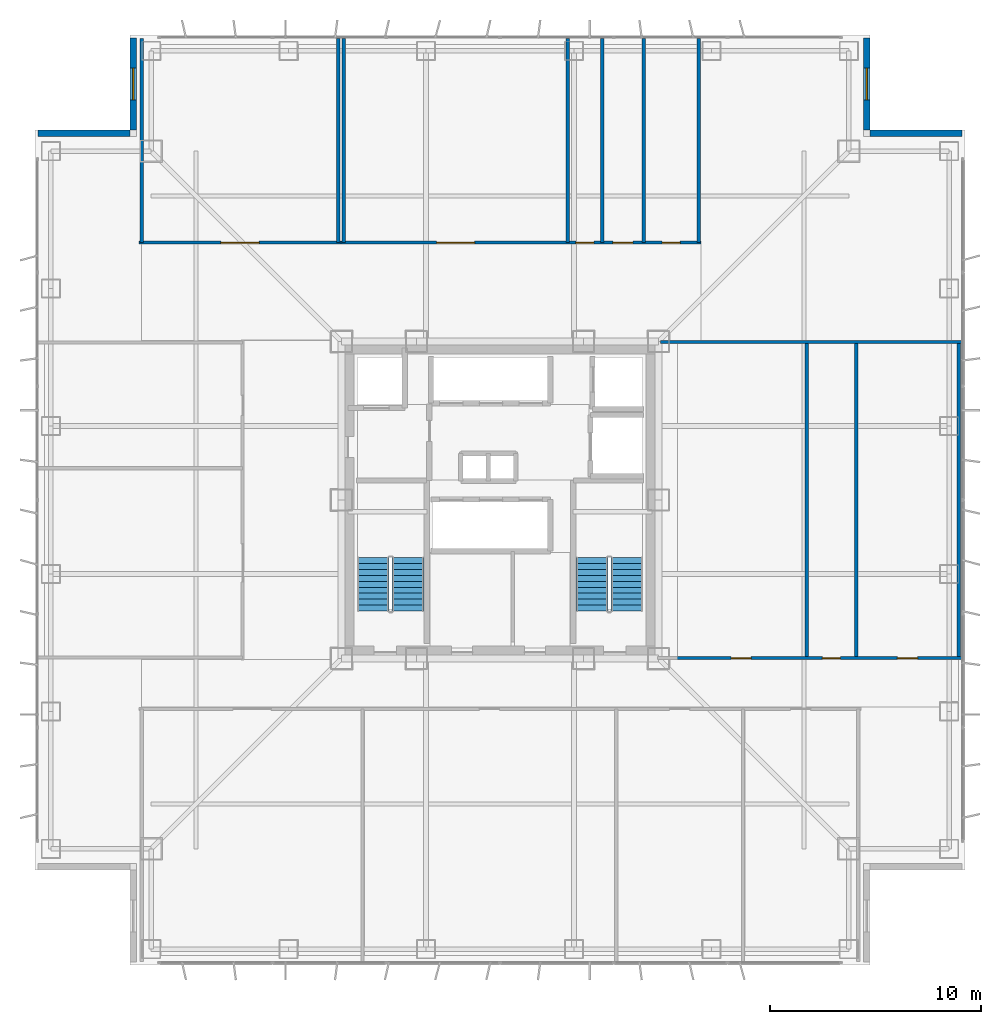
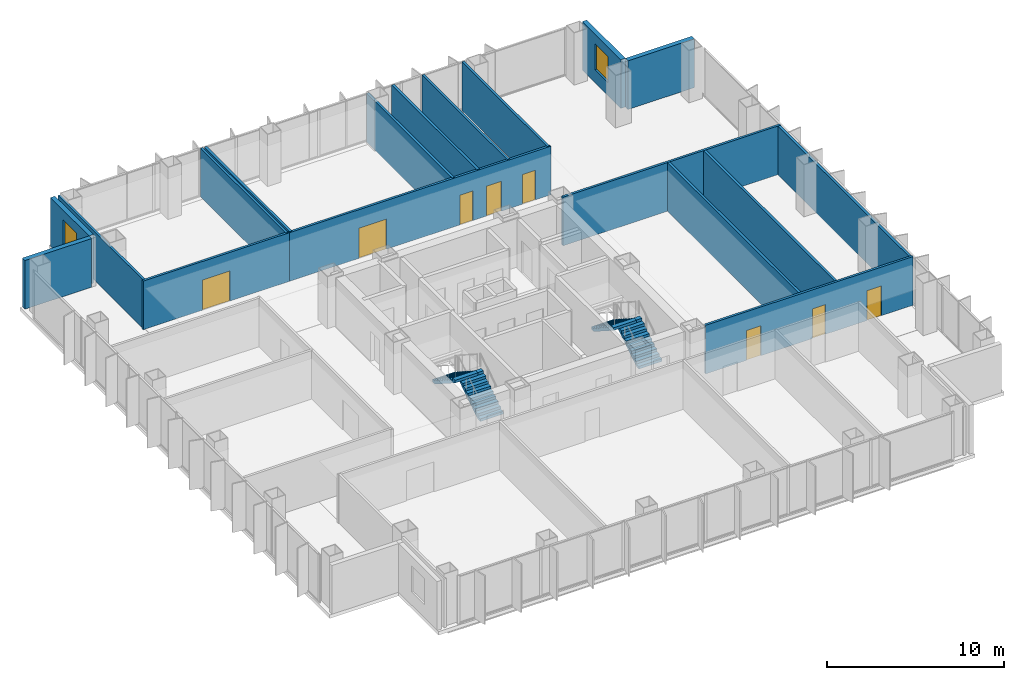
# One storey, part 14 of 17: 18 walls, 8 doors, 4 stair flights, 2 windows, 10 openings, 2 elements without a shape of their own.
"""IFC4 building model written with IfcOpenShell, lengths in metres."""

from ifc_helpers import new_model, si_unit, direction, frame, frame_2d, origin, place, context, subcontext, project, spatial, polyline, rectangle, outline, extrude, material, layer, layer_set, type_object, element, fill, aggregate, save


model = new_model("IFC4")

# Units and contexts
model_context = context("Model", 3, precision=1e-05, world=origin(), true_north=direction((0.0, 1.0)))
body_context = subcontext(model_context, "Body", "Model", "MODEL_VIEW")
ifc_project = project(units=[si_unit("LENGTHUNIT", "METRE"), si_unit("AREAUNIT", "SQUARE_METRE"), si_unit("VOLUMEUNIT", "CUBIC_METRE"), si_unit("PLANEANGLEUNIT", "RADIAN"), si_unit("MASSUNIT", "GRAM", prefix="KILO")], contexts=[model_context])

# Site, building, storey
site_placement = place(None, origin())
site = spatial("IfcSite", under=ifc_project, at=site_placement, CompositionType="ELEMENT")
building_placement = place(site_placement, origin())
building = spatial("IfcBuilding", under=site, at=building_placement, Name="Trevonay Congress Spire", CompositionType="ELEMENT")
storey_placement = place(building_placement, frame((0.0, 0.0, 126.39990234375)))
storey = spatial("IfcBuildingStorey", under=building, at=storey_placement, Name="L32", CompositionType="ELEMENT", Elevation=126.39990234375)

# Wall, opening, door
ifc_material_1 = material(Name="Concrete C40/50", Category="concrete")
ifc_layer_1 = layer(ifc_material_1, 0.14990234375, Name="Concrete C40/50")
ifc_layer_set_1 = layer_set([ifc_layer_1], Name="Concrete C40/50")
wall_type_1 = type_object("IfcWallType", Name="WAL-CORR-150", PredefinedType="PARTITIONING", material=ifc_layer_set_1)
wall_1_placement = place(storey_placement, frame((-17.070068359375, 12.179931640625, 0.0), z_axis=(0.0, 0.0, 1.0), x_axis=(1.0, 0.0, 0.0)))
wall_1 = element("IfcWall", 1, at=wall_1_placement, inside=storey, type_object=wall_type_1, Name="L32 interior wall WP-L32NW-COR", PredefinedType="PARTITIONING", context=body_context, shape_type="SweptSolid", body=[
    extrude(rectangle(XDim=9.5400390625, YDim=0.14990234375, at=frame_2d((4.77001953125, 0.0))), origin(), (0.0, 0.0, 1.0), 3.360107421875),
])
opening_1_placement = place(wall_1_placement, frame((3.8701171875, 0.0, 0.0)))
opening_1 = element("IfcOpeningElement", 2, at=opening_1_placement, cuts=wall_1, Name="Opening D09", PredefinedType="OPENING", context=body_context, shape_type="SweptSolid", body=[
    extrude(rectangle(XDim=1.800048828125, YDim=2.080078125, at=frame_2d((0.89990234375, 1.0400390625))), frame((0.0, 0.0849609375, 0.0), z_axis=(0.0, -1.0, 0.0), x_axis=(1.0, 0.0, 0.0)), (0.0, 0.0, 1.0), 0.169921875),
])
ifc_material_2 = material(Name="Pale Anodised Aluminium EN AW-6063-T6", Category="aluminium")
door_type_1 = type_object("IfcDoorType", Name="DOR-CONF-DBL", OperationType="DOUBLE_DOOR_SINGLE_SWING", PredefinedType="DOOR", material=ifc_material_2)
door_1_placement = place(opening_1_placement, origin())
door_1 = element("IfcDoor", 3, at=door_1_placement, inside=storey, type_object=door_type_1, Name="L32 North-West Terrace Cafe Lounge Door", OperationType="DOUBLE_DOOR_SINGLE_SWING", OverallHeight=2.080078125, OverallWidth=1.800048828125, PredefinedType="DOOR", context=body_context, shape_type="SweptSolid", body=[
    extrude(rectangle(XDim=1.800048828125, YDim=2.080078125, at=frame_2d((0.89990234375, 1.0400390625))), frame((0.0, 0.02490234375, 0.0), z_axis=(0.0, -1.0, 0.0), x_axis=(1.0, 0.0, 0.0)), (0.0, 0.0, 1.0), 0.050048828125),
])
fill(opening_1, door_1)

# Wall, openings, doors
wall_2_placement = place(storey_placement, frame((-7.52001953125, 12.179931640625, 0.0), z_axis=(0.0, 0.0, 1.0), x_axis=(1.0, 0.0, 0.0)))
wall_2 = element("IfcWall", 4, at=wall_2_placement, inside=storey, type_object=wall_type_1, Name="L32 interior wall WP-L32NE-COR", PredefinedType="PARTITIONING", context=body_context, shape_type="SweptSolid", body=[
    extrude(rectangle(XDim=17.0400390625, YDim=0.14990234375, at=frame_2d((8.52001953125, 0.0))), origin(), (0.0, 0.0, 1.0), 3.360107421875),
])
opening_2_placement = place(wall_2_placement, frame((4.52001953125, 0.0, 0.0)))
opening_2 = element("IfcOpeningElement", 5, at=opening_2_placement, cuts=wall_2, Name="Opening D09", PredefinedType="OPENING", context=body_context, shape_type="SweptSolid", body=[
    extrude(rectangle(XDim=1.800048828125, YDim=2.080078125, at=frame_2d((0.89990234375, 1.0400390625))), frame((0.0, 0.0849609375, 0.0), z_axis=(0.0, -1.0, 0.0), x_axis=(1.0, 0.0, 0.0)), (0.0, 0.0, 1.0), 0.169921875),
])
opening_3_placement = place(wall_2_placement, frame((11.110107421875, 0.0, 0.0)))
opening_3 = element("IfcOpeningElement", 6, at=opening_3_placement, cuts=wall_2, Name="Opening D10", PredefinedType="OPENING", context=body_context, shape_type="SweptSolid", body=[
    extrude(rectangle(XDim=0.85009765625, YDim=2.050048828125, at=frame_2d((0.425048828125, 1.02490234375))), frame((0.0, 0.0849609375, 0.0), z_axis=(0.0, -1.0, 0.0), x_axis=(1.0, 0.0, 0.0)), (0.0, 0.0, 1.0), 0.169921875),
])
opening_4_placement = place(wall_2_placement, frame((12.860107421875, 0.0, 0.0)))
opening_4 = element("IfcOpeningElement", 7, at=opening_4_placement, cuts=wall_2, Name="Opening D07", PredefinedType="OPENING", context=body_context, shape_type="SweptSolid", body=[
    extrude(rectangle(XDim=0.949951171875, YDim=2.06005859375, at=frame_2d((0.47509765625, 1.030029296875))), frame((0.0, 0.0849609375, 0.0), z_axis=(0.0, -1.0, 0.0), x_axis=(1.0, 0.0, 0.0)), (0.0, 0.0, 1.0), 0.169921875),
])
opening_5_placement = place(wall_2_placement, frame((15.195068359375, 0.0, 0.0)))
opening_5 = element("IfcOpeningElement", 8, at=opening_5_placement, cuts=wall_2, Name="Opening D10", PredefinedType="OPENING", context=body_context, shape_type="SweptSolid", body=[
    extrude(rectangle(XDim=0.85009765625, YDim=2.050048828125, at=frame_2d((0.425048828125, 1.02490234375))), frame((0.0, 0.0849609375, 0.0), z_axis=(0.0, -1.0, 0.0), x_axis=(1.0, 0.0, 0.0)), (0.0, 0.0, 1.0), 0.169921875),
])
door_2_placement = place(opening_2_placement, origin())
door_2 = element("IfcDoor", 9, at=door_2_placement, inside=storey, type_object=door_type_1, Name="L32 International Press Club Lounge Door", OperationType="DOUBLE_DOOR_SINGLE_SWING", OverallHeight=2.080078125, OverallWidth=1.800048828125, PredefinedType="DOOR", context=body_context, shape_type="SweptSolid", body=[
    extrude(rectangle(XDim=1.800048828125, YDim=2.080078125, at=frame_2d((0.89990234375, 1.0400390625))), frame((0.0, 0.02490234375, 0.0), z_axis=(0.0, -1.0, 0.0), x_axis=(1.0, 0.0, 0.0)), (0.0, 0.0, 1.0), 0.050048828125),
])
fill(opening_2, door_2)
door_type_2 = type_object("IfcDoorType", Name="DOR-OFFICE-95", OperationType="NOTDEFINED", PredefinedType="DOOR", material=ifc_material_2)
door_3_placement = place(opening_4_placement, origin())
door_3 = element("IfcDoor", 10, at=door_3_placement, inside=storey, type_object=door_type_2, Name="L32 Floor Supplies and Copy Room Door", OperationType="SINGLE_SWING_RIGHT", OverallHeight=2.06005859375, OverallWidth=0.949951171875, PredefinedType="DOOR", context=body_context, shape_type="SweptSolid", body=[
    extrude(rectangle(XDim=0.949951171875, YDim=2.06005859375, at=frame_2d((0.47509765625, 1.030029296875))), frame((0.0, 0.02490234375, 0.0), z_axis=(0.0, -1.0, 0.0), x_axis=(1.0, 0.0, 0.0)), (0.0, 0.0, 1.0), 0.050048828125),
])
fill(opening_4, door_3)
door_type_3 = type_object("IfcDoorType", Name="DOR-WC-85", OperationType="NOTDEFINED", PredefinedType="DOOR", material=ifc_material_2)
door_4_placement = place(opening_3_placement, origin())
door_4 = element("IfcDoor", 11, at=door_4_placement, inside=storey, type_object=door_type_3, Name="L32 Accessible WC Door", OperationType="SINGLE_SWING_LEFT", OverallHeight=2.050048828125, OverallWidth=0.85009765625, PredefinedType="DOOR", context=body_context, shape_type="SweptSolid", body=[
    extrude(rectangle(XDim=0.85009765625, YDim=2.050048828125, at=frame_2d((0.425048828125, 1.02490234375))), frame((0.0, 0.02490234375, 0.0), z_axis=(0.0, -1.0, 0.0), x_axis=(1.0, 0.0, 0.0)), (0.0, 0.0, 1.0), 0.050048828125),
])
fill(opening_3, door_4)
door_5_placement = place(opening_5_placement, origin())
door_5 = element("IfcDoor", 12, at=door_5_placement, inside=storey, type_object=door_type_3, Name="L32 Female Restroom WC Door", OperationType="SINGLE_SWING_LEFT", OverallHeight=2.050048828125, OverallWidth=0.85009765625, PredefinedType="DOOR", context=body_context, shape_type="SweptSolid", body=[
    extrude(rectangle(XDim=0.85009765625, YDim=2.050048828125, at=frame_2d((0.425048828125, 1.02490234375))), frame((0.0, 0.02490234375, 0.0), z_axis=(0.0, -1.0, 0.0), x_axis=(1.0, 0.0, 0.0)), (0.0, 0.0, 1.0), 0.050048828125),
])
fill(opening_5, door_5)

wall_3_placement = place(storey_placement, frame((8.280029296875, -7.47998046875, 0.0), z_axis=(0.0, 0.0, 1.0), x_axis=(1.0, 0.0, 0.0)))
wall_3 = element("IfcWall", 13, at=wall_3_placement, inside=storey, type_object=wall_type_1, Name="L32 interior wall WP-L32E-COR", PredefinedType="PARTITIONING", context=body_context, shape_type="SweptSolid", body=[
    extrude(rectangle(XDim=13.5400390625, YDim=0.14990234375, at=frame_2d((6.77001953125, 0.0))), origin(), (0.0, 0.0, 1.0), 3.360107421875),
])
opening_6_placement = place(wall_3_placement, frame((2.655029296875, 0.0, 0.0)))
opening_6 = element("IfcOpeningElement", 14, at=opening_6_placement, cuts=wall_3, Name="Opening D07", PredefinedType="OPENING", context=body_context, shape_type="SweptSolid", body=[
    extrude(rectangle(XDim=0.949951171875, YDim=2.06005859375, at=frame_2d((0.47509765625, 1.030029296875))), frame((0.0, 0.0849609375, 0.0), z_axis=(0.0, -1.0, 0.0), x_axis=(1.0, 0.0, 0.0)), (0.0, 0.0, 1.0), 0.169921875),
])
opening_7_placement = place(wall_3_placement, frame((6.969970703125, 0.0, 0.0)))
opening_7 = element("IfcOpeningElement", 15, at=opening_7_placement, cuts=wall_3, Name="Opening D10", PredefinedType="OPENING", context=body_context, shape_type="SweptSolid", body=[
    extrude(rectangle(XDim=0.85009765625, YDim=2.050048828125, at=frame_2d((0.425048828125, 1.02490234375))), frame((0.0, 0.0849609375, 0.0), z_axis=(0.0, -1.0, 0.0), x_axis=(1.0, 0.0, 0.0)), (0.0, 0.0, 1.0), 0.169921875),
])
opening_8_placement = place(wall_3_placement, frame((10.52001953125, 0.0, 0.0)))
opening_8 = element("IfcOpeningElement", 16, at=opening_8_placement, cuts=wall_3, Name="Opening D07", PredefinedType="OPENING", context=body_context, shape_type="SweptSolid", body=[
    extrude(rectangle(XDim=0.949951171875, YDim=2.06005859375, at=frame_2d((0.47509765625, 1.030029296875))), frame((0.0, 0.0849609375, 0.0), z_axis=(0.0, -1.0, 0.0), x_axis=(1.0, 0.0, 0.0)), (0.0, 0.0, 1.0), 0.169921875),
])
door_6_placement = place(opening_6_placement, origin())
door_6 = element("IfcDoor", 17, at=door_6_placement, inside=storey, type_object=door_type_2, Name="L32 Press Editorial Office Door", OperationType="SINGLE_SWING_RIGHT", OverallHeight=2.06005859375, OverallWidth=0.949951171875, PredefinedType="DOOR", context=body_context, shape_type="SweptSolid", body=[
    extrude(rectangle(XDim=0.949951171875, YDim=2.06005859375, at=frame_2d((0.47509765625, 1.030029296875))), frame((0.0, 0.02490234375, 0.0), z_axis=(0.0, -1.0, 0.0), x_axis=(1.0, 0.0, 0.0)), (0.0, 0.0, 1.0), 0.050048828125),
])
fill(opening_6, door_6)
door_7_placement = place(opening_8_placement, origin())
door_7 = element("IfcDoor", 18, at=door_7_placement, inside=storey, type_object=door_type_2, Name="L32 Floor Supplies and Copy Room Door", OperationType="SINGLE_SWING_RIGHT", OverallHeight=2.06005859375, OverallWidth=0.949951171875, PredefinedType="DOOR", context=body_context, shape_type="SweptSolid", body=[
    extrude(rectangle(XDim=0.949951171875, YDim=2.06005859375, at=frame_2d((0.47509765625, 1.030029296875))), frame((0.0, 0.02490234375, 0.0), z_axis=(0.0, -1.0, 0.0), x_axis=(1.0, 0.0, 0.0)), (0.0, 0.0, 1.0), 0.050048828125),
])
fill(opening_8, door_7)
door_8_placement = place(opening_7_placement, origin())
door_8 = element("IfcDoor", 19, at=door_8_placement, inside=storey, type_object=door_type_3, Name="L32 Male Restroom WC Door", OperationType="SINGLE_SWING_LEFT", OverallHeight=2.050048828125, OverallWidth=0.85009765625, PredefinedType="DOOR", context=body_context, shape_type="SweptSolid", body=[
    extrude(rectangle(XDim=0.85009765625, YDim=2.050048828125, at=frame_2d((0.425048828125, 1.02490234375))), frame((0.0, 0.02490234375, 0.0), z_axis=(0.0, -1.0, 0.0), x_axis=(1.0, 0.0, 0.0)), (0.0, 0.0, 1.0), 0.050048828125),
])
fill(opening_7, door_8)

# Wall, opening, window
ifc_material_3 = material(Name="Precast concrete C40/50", Category="concrete")
ifc_layer_2 = layer(ifc_material_3, 0.300048828125, Name="Precast concrete C40/50")
ifc_layer_set_2 = layer_set([ifc_layer_2], Name="Precast concrete C40/50")
wall_type_2 = type_object("IfcWallType", Name="WAL-EXT-PRECAST-300", PredefinedType="SOLIDWALL", material=ifc_layer_set_2)
wall_4_placement = place(storey_placement, frame((17.35009765625, 21.85009765625, 0.0), z_axis=(0.0, 0.0, 1.0), x_axis=(0.0, -1.0, 0.0)))
wall_4 = element("IfcWall", 20, at=wall_4_placement, inside=storey, type_object=wall_type_2, Name="L32 NE re-entrant notch exterior wall 1", PredefinedType="SOLIDWALL", context=body_context, shape_type="SweptSolid", body=[
    extrude(rectangle(XDim=4.35009765625, YDim=0.300048828125, at=frame_2d((2.175048828125, 0.0))), origin(), (0.0, 0.0, 1.0), 3.360107421875),
])
opening_9_placement = place(wall_4_placement, frame((1.425048828125, 0.0, 0.89990234375)))
opening_9 = element("IfcOpeningElement", 21, at=opening_9_placement, cuts=wall_4, Name="Opening WN03", PredefinedType="OPENING", context=body_context, shape_type="SweptSolid", body=[
    extrude(rectangle(XDim=1.5, YDim=1.800048828125, at=frame_2d((0.75, 0.89990234375))), frame((0.0, 0.16015625, 0.0), z_axis=(0.0, -1.0, 0.0), x_axis=(1.0, 0.0, 0.0)), (0.0, 0.0, 1.0), 0.320068359375),
])
ifc_material_4 = material(Name="Insulated Low-E Vision Glass IGU", Category="glass")
window_type = type_object("IfcWindowType", Name="WIN-NOTCH-150X180", PartitioningType="SINGLE_PANEL", PredefinedType="WINDOW", material=ifc_material_4)
window_1_placement = place(opening_9_placement, origin())
window_1 = element("IfcWindow", 22, at=window_1_placement, inside=storey, type_object=window_type, Name="L32 NE corner notch window", OverallHeight=1.800048828125, OverallWidth=1.5, PartitioningType="SINGLE_PANEL", PredefinedType="WINDOW", context=body_context, shape_type="SweptSolid", body=[
    extrude(rectangle(XDim=1.5, YDim=1.800048828125, at=frame_2d((0.75, 0.89990234375))), frame((0.0, 0.030029296875, 0.0), z_axis=(0.0, -1.0, 0.0), x_axis=(1.0, 0.0, 0.0)), (0.0, 0.0, 1.0), 0.06005859375),
])
fill(opening_9, window_1)

# Wall
wall_5_placement = place(storey_placement, frame((21.85009765625, 17.35009765625, 0.0), z_axis=(0.0, 0.0, 1.0), x_axis=(-1.0, 0.0, 0.0)))
element("IfcWall", 23, at=wall_5_placement, inside=storey, type_object=wall_type_2, Name="L32 NE re-entrant notch exterior wall 2", PredefinedType="SOLIDWALL", context=body_context, shape_type="SweptSolid", body=[
    extrude(rectangle(XDim=4.35009765625, YDim=0.300048828125, at=frame_2d((2.175048828125, 0.0))), origin(), (0.0, 0.0, 1.0), 3.360107421875),
])

# Wall, opening, window
wall_6_placement = place(storey_placement, frame((-17.35009765625, 21.85009765625, 0.0), z_axis=(0.0, 0.0, 1.0), x_axis=(0.0, -1.0, 0.0)))
wall_6 = element("IfcWall", 24, at=wall_6_placement, inside=storey, type_object=wall_type_2, Name="L32 NW re-entrant notch exterior wall 1", PredefinedType="SOLIDWALL", context=body_context, shape_type="SweptSolid", body=[
    extrude(rectangle(XDim=4.35009765625, YDim=0.300048828125, at=frame_2d((2.175048828125, 0.0))), origin(), (0.0, 0.0, 1.0), 3.360107421875),
])
opening_10_placement = place(wall_6_placement, frame((1.425048828125, 0.0, 0.89990234375)))
opening_10 = element("IfcOpeningElement", 25, at=opening_10_placement, cuts=wall_6, Name="Opening WN03", PredefinedType="OPENING", context=body_context, shape_type="SweptSolid", body=[
    extrude(rectangle(XDim=1.5, YDim=1.800048828125, at=frame_2d((0.75, 0.89990234375))), frame((0.0, 0.16015625, 0.0), z_axis=(0.0, -1.0, 0.0), x_axis=(1.0, 0.0, 0.0)), (0.0, 0.0, 1.0), 0.320068359375),
])
window_2_placement = place(opening_10_placement, origin())
window_2 = element("IfcWindow", 26, at=window_2_placement, inside=storey, type_object=window_type, Name="L32 NW corner notch window", OverallHeight=1.800048828125, OverallWidth=1.5, PartitioningType="SINGLE_PANEL", PredefinedType="WINDOW", context=body_context, shape_type="SweptSolid", body=[
    extrude(rectangle(XDim=1.5, YDim=1.800048828125, at=frame_2d((0.75, 0.89990234375))), frame((0.0, 0.030029296875, 0.0), z_axis=(0.0, -1.0, 0.0), x_axis=(1.0, 0.0, 0.0)), (0.0, 0.0, 1.0), 0.06005859375),
])
fill(opening_10, window_2)

# Walls
wall_7_placement = place(storey_placement, frame((-21.85009765625, 17.35009765625, 0.0), z_axis=(0.0, 0.0, 1.0), x_axis=(1.0, 0.0, 0.0)))
element("IfcWall", 27, at=wall_7_placement, inside=storey, type_object=wall_type_2, Name="L32 NW re-entrant notch exterior wall 2", PredefinedType="SOLIDWALL", context=body_context, shape_type="SweptSolid", body=[
    extrude(rectangle(XDim=4.35009765625, YDim=0.300048828125, at=frame_2d((2.175048828125, 0.0))), origin(), (0.0, 0.0, 1.0), 3.360107421875),
])
ifc_layer_3 = layer(ifc_material_1, 0.14990234375, Name="Concrete C40/50")
ifc_layer_set_3 = layer_set([ifc_layer_3], Name="Concrete C40/50")
wall_type_3 = type_object("IfcWallType", Name="WAL-PART-150", PredefinedType="PARTITIONING", material=ifc_layer_set_3)
for number, where, z_axis, x_axis, name in (
    (28, (-16.949951171875, 12.179931640625, 0.0), (0.0, 0.0, 1.0), (0.0, 1.0, 0.0), "L32 interior wall WP-L32NW-DIV1"),
    (29, (-7.64990234375, 12.179931640625, 0.0), (0.0, 0.0, 1.0), (0.0, 1.0, 0.0), "L32 interior wall WP-L32NW-DIV2"),
    (30, (6.800048828125, 12.179931640625, 0.0), (0.0, 0.0, 1.0), (0.0, 1.0, 0.0), "L32 interior wall WP-L32NE-DIV3"),
    (31, (9.39990234375, 12.179931640625, 0.0), (0.0, 0.0, 1.0), (0.0, 1.0, 0.0), "L32 interior wall WP-L32NE-DIV4"),
):
    element("IfcWall", number, at=place(storey_placement, frame(where, z_axis=z_axis, x_axis=x_axis)), inside=storey, type_object=wall_type_3, Name=name, PredefinedType="PARTITIONING", context=body_context, shape_type="SweptSolid", body=[
        extrude(rectangle(XDim=9.64013671875, YDim=0.14990234375, at=frame_2d((4.820068359375, 0.0))), origin(), (0.0, 0.0, 1.0), 3.360107421875),
    ])
wall_8_placement = place(storey_placement, frame((7.60009765625, 7.47998046875, 0.0), z_axis=(0.0, 0.0, 1.0), x_axis=(1.0, 0.0, 0.0)))
element("IfcWall", 32, at=wall_8_placement, inside=storey, type_object=wall_type_3, Name="L32 interior wall WP-L32E-NCLS", PredefinedType="PARTITIONING", context=body_context, shape_type="SweptSolid", body=[
    extrude(rectangle(XDim=14.219970703125, YDim=0.14990234375, at=frame_2d((7.10986328125, 0.0))), origin(), (0.0, 0.0, 1.0), 3.360107421875),
])
ifc_layer_4 = layer(ifc_material_1, 0.1650390625, Name="Concrete C40/50")
ifc_layer_set_4 = layer_set([ifc_layer_4], Name="Concrete C40/50")
wall_type_4 = type_object("IfcWallType", Name="WAL-WET-165", PredefinedType="PLUMBINGWALL", material=ifc_layer_set_4)
for number, where, z_axis, x_axis, name in (
    (33, (4.830078125, 12.179931640625, 0.0), (0.0, 0.0, 1.0), (0.0, 1.0, 0.0), "L32 interior wall WP-L32NE-WCS2"),
    (34, (-7.39990234375, 12.179931640625, 0.0), (0.0, 0.0, 1.0), (0.0, 1.0, 0.0), "L32 interior wall WP-L32NE-DIV1"),
    (35, (3.199951171875, 12.179931640625, 0.0), (0.0, 0.0, 1.0), (0.0, 1.0, 0.0), "L32 interior wall WP-L32NE-DIV2"),
):
    element("IfcWall", number, at=place(storey_placement, frame(where, z_axis=z_axis, x_axis=x_axis)), inside=storey, type_object=wall_type_4, Name=name, PredefinedType="PLUMBINGWALL", context=body_context, shape_type="SweptSolid", body=[
        extrude(rectangle(XDim=9.64013671875, YDim=0.1650390625, at=frame_2d((4.820068359375, 0.0))), origin(), (0.0, 0.0, 1.0), 3.360107421875),
    ])
for number, where, z_axis, x_axis, name in (
    (36, (16.85009765625, -7.47998046875, 0.0), (0.0, 0.0, 1.0), (0.0, 1.0, 0.0), "L32 interior wall WP-L32E-WCS2"),
    (37, (14.5, -7.47998046875, 0.0), (0.0, 0.0, 1.0), (0.0, 1.0, 0.0), "L32 interior wall WP-L32E-DIV1"),
    (38, (21.699951171875, -7.47998046875, 0.0), (0.0, 0.0, 1.0), (0.0, 1.0, 0.0), "L32 interior wall WP-L32E-DIV2"),
):
    element("IfcWall", number, at=place(storey_placement, frame(where, z_axis=z_axis, x_axis=x_axis)), inside=storey, type_object=wall_type_4, Name=name, PredefinedType="PLUMBINGWALL", context=body_context, shape_type="SweptSolid", body=[
        extrude(rectangle(XDim=14.8798828125, YDim=0.1650390625, at=frame_2d((7.43994140625, 0.0))), origin(), (0.0, 0.0, 1.0), 3.360107421875),
    ])

# Stair, stair flights
stair_type_1 = type_object("IfcStairType", Name="STR-ST-1", PredefinedType="HALF_TURN_STAIR", material=ifc_material_1)
stair_1_placement = place(storey_placement, origin())
stair_1 = element("IfcStair", 39, at=stair_1_placement, inside=storey, type_object=stair_type_1, Name="L32 Protected Exit Stair ST-1", PredefinedType="HALF_TURN_STAIR")
stair_flight_type_1 = type_object("IfcStairFlightType", Name="SFL-ST-1", PredefinedType="STRAIGHT", material=ifc_material_1)
stair_flight_1_placement = place(storey_placement, frame((-4.35009765625, -5.25, 0.0), z_axis=(0.0, 0.0, 1.0), x_axis=(0.0, 1.0, 0.0)))
stair_flight_1 = element("IfcStairFlight", 40, at=stair_flight_1_placement, type_object=stair_flight_type_1, Name="ST-1 flight 1", NumberOfRisers=10, NumberOfTreads=9, PredefinedType="STRAIGHT", RiserHeight=0.18, TreadLength=0.28, context=body_context, shape_type="SweptSolid", body=[
    extrude(outline(polyline([(0.0, 0.0), (0.0, 0.179931640625), (0.280029296875, 0.179931640625), (0.280029296875, 0.360107421875), (0.56005859375, 0.360107421875), (0.56005859375, 0.5400390625), (0.840087890625, 0.5400390625), (0.840087890625, 0.719970703125), (1.1201171875, 0.719970703125), (1.1201171875, 0.89990234375), (1.39990234375, 0.89990234375), (1.39990234375, 1.080078125), (1.679931640625, 1.080078125), (1.679931640625, 1.260009765625), (1.9599609375, 1.260009765625), (1.9599609375, 1.43994140625), (2.239990234375, 1.43994140625), (2.239990234375, 1.6201171875), (2.52001953125, 1.6201171875), (2.52001953125, 1.800048828125), (2.52001953125, 1.44189453125), (0.277099609375, 0.0), (0.0, 0.0)])), frame((0.0, 0.75, 0.0), z_axis=(0.0, -1.0, 0.0), x_axis=(1.0, 0.0, 0.0)), (0.0, 0.0, 1.0), 1.5),
])
stair_flight_2_placement = place(storey_placement, frame((-6.0, -2.72998046875, 1.800048828125), z_axis=(0.0, 0.0, 1.0), x_axis=(0.0, -1.0, 0.0)))
stair_flight_2 = element("IfcStairFlight", 41, at=stair_flight_2_placement, type_object=stair_flight_type_1, Name="ST-1 flight 2", NumberOfRisers=10, NumberOfTreads=9, PredefinedType="STRAIGHT", RiserHeight=0.18, TreadLength=0.28, context=body_context, shape_type="SweptSolid", body=[
    extrude(outline(polyline([(0.0, 0.0), (0.0, 0.179931640625), (0.280029296875, 0.179931640625), (0.280029296875, 0.360107421875), (0.56005859375, 0.360107421875), (0.56005859375, 0.5400390625), (0.840087890625, 0.5400390625), (0.840087890625, 0.719970703125), (1.1201171875, 0.719970703125), (1.1201171875, 0.89990234375), (1.39990234375, 0.89990234375), (1.39990234375, 1.080078125), (1.679931640625, 1.080078125), (1.679931640625, 1.260009765625), (1.9599609375, 1.260009765625), (1.9599609375, 1.43994140625), (2.239990234375, 1.43994140625), (2.239990234375, 1.6201171875), (2.52001953125, 1.6201171875), (2.52001953125, 1.800048828125), (2.52001953125, 1.44189453125), (0.277099609375, 0.0), (0.0, 0.0)])), frame((0.0, 0.75, 0.0), z_axis=(0.0, -1.0, 0.0), x_axis=(1.0, 0.0, 0.0)), (0.0, 0.0, 1.0), 1.5),
])
aggregate(stair_1, [stair_flight_1, stair_flight_2])

stair_type_2 = type_object("IfcStairType", Name="STR-ST-2", PredefinedType="HALF_TURN_STAIR", material=ifc_material_1)
stair_2_placement = place(storey_placement, origin())
stair_2 = element("IfcStair", 42, at=stair_2_placement, inside=storey, type_object=stair_type_2, Name="L32 Protected Exit Stair ST-2", PredefinedType="HALF_TURN_STAIR")
stair_flight_type_2 = type_object("IfcStairFlightType", Name="SFL-ST-2", PredefinedType="STRAIGHT", material=ifc_material_1)
stair_flight_3_placement = place(storey_placement, frame((6.0, -5.25, 0.0), z_axis=(0.0, 0.0, 1.0), x_axis=(0.0, 1.0, 0.0)))
stair_flight_3 = element("IfcStairFlight", 43, at=stair_flight_3_placement, type_object=stair_flight_type_2, Name="ST-2 flight 1", NumberOfRisers=10, NumberOfTreads=9, PredefinedType="STRAIGHT", RiserHeight=0.18, TreadLength=0.28, context=body_context, shape_type="SweptSolid", body=[
    extrude(outline(polyline([(0.0, 0.0), (0.0, 0.179931640625), (0.280029296875, 0.179931640625), (0.280029296875, 0.360107421875), (0.56005859375, 0.360107421875), (0.56005859375, 0.5400390625), (0.840087890625, 0.5400390625), (0.840087890625, 0.719970703125), (1.1201171875, 0.719970703125), (1.1201171875, 0.89990234375), (1.39990234375, 0.89990234375), (1.39990234375, 1.080078125), (1.679931640625, 1.080078125), (1.679931640625, 1.260009765625), (1.9599609375, 1.260009765625), (1.9599609375, 1.43994140625), (2.239990234375, 1.43994140625), (2.239990234375, 1.6201171875), (2.52001953125, 1.6201171875), (2.52001953125, 1.800048828125), (2.52001953125, 1.44189453125), (0.277099609375, 0.0), (0.0, 0.0)])), frame((0.0, 0.75, 0.0), z_axis=(0.0, -1.0, 0.0), x_axis=(1.0, 0.0, 0.0)), (0.0, 0.0, 1.0), 1.5),
])
stair_flight_4_placement = place(storey_placement, frame((4.35009765625, -2.72998046875, 1.800048828125), z_axis=(0.0, 0.0, 1.0), x_axis=(0.0, -1.0, 0.0)))
stair_flight_4 = element("IfcStairFlight", 44, at=stair_flight_4_placement, type_object=stair_flight_type_2, Name="ST-2 flight 2", NumberOfRisers=10, NumberOfTreads=9, PredefinedType="STRAIGHT", RiserHeight=0.18, TreadLength=0.28, context=body_context, shape_type="SweptSolid", body=[
    extrude(outline(polyline([(0.0, 0.0), (0.0, 0.179931640625), (0.280029296875, 0.179931640625), (0.280029296875, 0.360107421875), (0.56005859375, 0.360107421875), (0.56005859375, 0.5400390625), (0.840087890625, 0.5400390625), (0.840087890625, 0.719970703125), (1.1201171875, 0.719970703125), (1.1201171875, 0.89990234375), (1.39990234375, 0.89990234375), (1.39990234375, 1.080078125), (1.679931640625, 1.080078125), (1.679931640625, 1.260009765625), (1.9599609375, 1.260009765625), (1.9599609375, 1.43994140625), (2.239990234375, 1.43994140625), (2.239990234375, 1.6201171875), (2.52001953125, 1.6201171875), (2.52001953125, 1.800048828125), (2.52001953125, 1.44189453125), (0.277099609375, 0.0), (0.0, 0.0)])), frame((0.0, 0.75, 0.0), z_axis=(0.0, -1.0, 0.0), x_axis=(1.0, 0.0, 0.0)), (0.0, 0.0, 1.0), 1.5),
])
aggregate(stair_2, [stair_flight_3, stair_flight_4])

save(model, "model.ifc")
